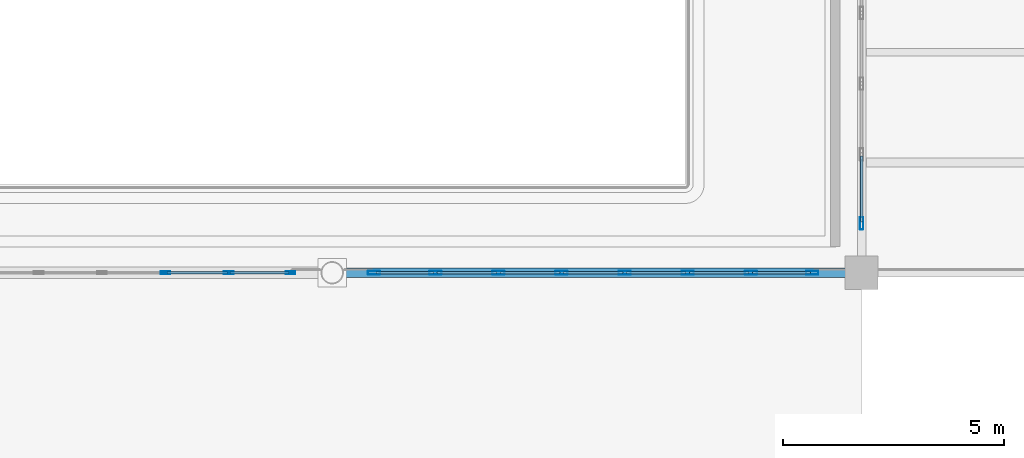
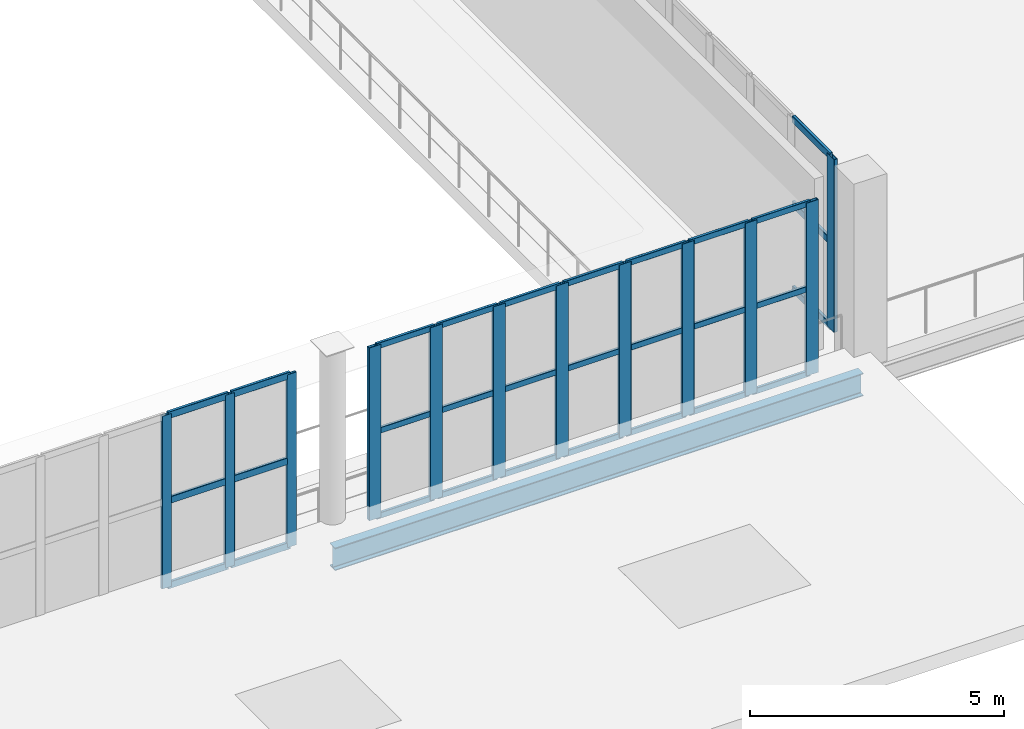
# One storey, part 13 of 108: 42 members, 1 beam, 3 elements without a shape of their own.
"""IFC4 building model written with IfcOpenShell, lengths in metres."""

from ifc_helpers import new_model, si_unit, direction, frame, origin, origin_2d, place, context, subcontext, project, spatial, hollow_rectangle, i_section, extrude, material, layer, layer_set, material_profile, profile_set, type_object, element, aggregate, save


model = new_model("IFC4")

# Units and contexts
model_context = context("Model", 3, precision=1e-05, world=origin(), true_north=direction((0.0, 1.0)))
body_context = subcontext(model_context, "Body", "Model", "MODEL_VIEW")
ifc_project = project(units=[si_unit("LENGTHUNIT", "METRE"), si_unit("AREAUNIT", "SQUARE_METRE"), si_unit("VOLUMEUNIT", "CUBIC_METRE"), si_unit("PLANEANGLEUNIT", "RADIAN"), si_unit("MASSUNIT", "GRAM", prefix="KILO")], contexts=[model_context])

# Site, building, storey
site_placement = place(None, origin())
site = spatial("IfcSite", under=ifc_project, at=site_placement, CompositionType="ELEMENT")
building_placement = place(site_placement, origin())
building = spatial("IfcBuilding", under=site, at=building_placement, Name="Brinegate Civic Arena", CompositionType="ELEMENT")
storey_placement = place(building_placement, frame((0.0, 0.0, 10.199951171875)))
storey = spatial("IfcBuildingStorey", under=building, at=storey_placement, Name="L02", CompositionType="ELEMENT", Elevation=10.199951171875)

# Curtain wall, members
ifc_material_1 = material(Name="Marine grade aluminium", Category="aluminium")
ifc_layer_1 = layer(ifc_material_1, 0.18505859375, Name="Marine grade aluminium")
ifc_layer_set_1 = layer_set([ifc_layer_1], Name="Marine grade aluminium")
curtain_wall_type_1 = type_object("IfcCurtainWallType", Name="CW-WING-GLAZED-03", PredefinedType="USERDEFINED", material=ifc_layer_set_1)
curtain_wall_1_placement = place(storey_placement, origin())
curtain_wall_1 = element("IfcCurtainWall", 1, at=curtain_wall_1_placement, inside=storey, type_object=curtain_wall_type_1, Name="Curtain Wall CWA-023", ObjectType="GLAZED CURTAIN WALL", PredefinedType="USERDEFINED")
ifc_material_profile_1 = material_profile(ifc_material_1, hollow_rectangle(XDim=0.06494140625, YDim=0.219970703125, WallThickness=0.006103515625, InnerFilletRadius=0.00390625, OuterFilletRadius=0.008056640625, at=origin_2d()), Name="MUL65X220")
ifc_profile_set_1 = profile_set([ifc_material_profile_1], Name="Marine grade aluminium")
member_type_1 = type_object("IfcMemberType", Name="CW-MULLION-65X220", PredefinedType="MULLION", material=ifc_profile_set_1)
member_1_placement = place(storey_placement, frame((32.220703125, 10.0, 0.0), z_axis=(0.0, 0.0, 1.0), x_axis=(0.0, 1.0, 0.0)))
member_1 = element("IfcMember", 2, at=member_1_placement, type_object=member_type_1, Name="CWA-023 mullion 6", PredefinedType="MULLION", context=body_context, shape_type="SweptSolid", body=[
    extrude(hollow_rectangle(XDim=0.06494140625, YDim=0.219970703125, WallThickness=0.006103515625, InnerFilletRadius=0.00390625, OuterFilletRadius=0.008056640625, at=origin_2d()), origin(), (0.0, 0.0, 1.0), 4.150146484375),
])
member_2_placement = place(storey_placement, frame((33.65576171875, 10.0, 0.0), z_axis=(0.0, 0.0, 1.0), x_axis=(0.0, 1.0, 0.0)))
member_2 = element("IfcMember", 3, at=member_2_placement, type_object=member_type_1, Name="CWA-023 mullion 7", PredefinedType="MULLION", context=body_context, shape_type="SweptSolid", body=[
    extrude(hollow_rectangle(XDim=0.06494140625, YDim=0.219970703125, WallThickness=0.006103515625, InnerFilletRadius=0.00390625, OuterFilletRadius=0.008056640625, at=origin_2d()), origin(), (0.0, 0.0, 1.0), 4.150146484375),
])
member_3_placement = place(storey_placement, frame((35.05859375, 10.0, 0.0), z_axis=(0.0, 0.0, 1.0), x_axis=(0.0, 1.0, 0.0)))
member_3 = element("IfcMember", 4, at=member_3_placement, type_object=member_type_1, Name="CWA-023 mullion 8", PredefinedType="MULLION", context=body_context, shape_type="SweptSolid", body=[
    extrude(hollow_rectangle(XDim=0.06494140625, YDim=0.219970703125, WallThickness=0.006103515625, InnerFilletRadius=0.00390625, OuterFilletRadius=0.008056640625, at=origin_2d()), origin(), (0.0, 0.0, 1.0), 4.150146484375),
])

curtain_wall_2_placement = place(storey_placement, origin())
curtain_wall_2 = element("IfcCurtainWall", 5, at=curtain_wall_2_placement, inside=storey, type_object=curtain_wall_type_1, Name="Curtain Wall CWA-025", ObjectType="GLAZED CURTAIN WALL", PredefinedType="USERDEFINED")
ifc_material_profile_2 = material_profile(ifc_material_1, hollow_rectangle(XDim=0.080078125, YDim=0.280029296875, WallThickness=0.007080078125, InnerFilletRadius=0.0048828125, OuterFilletRadius=0.010009765625, at=origin_2d()), Name="MUL80X280")
ifc_profile_set_2 = profile_set([ifc_material_profile_2], Name="Marine grade aluminium")
member_type_2 = type_object("IfcMemberType", Name="CW-MULLION-80X280", PredefinedType="MULLION", material=ifc_profile_set_2)
member_4_placement = place(storey_placement, frame((36.948974609375, 10.0, 0.0), z_axis=(0.0, 0.0, 1.0), x_axis=(0.0, 1.0, 0.0)))
member_4 = element("IfcMember", 6, at=member_4_placement, type_object=member_type_2, Name="CWA-025 mullion 1", PredefinedType="MULLION", context=body_context, shape_type="SweptSolid", body=[
    extrude(hollow_rectangle(XDim=0.080078125, YDim=0.280029296875, WallThickness=0.007080078125, InnerFilletRadius=0.0048828125, OuterFilletRadius=0.010009765625, at=origin_2d()), origin(), (0.0, 0.0, 1.0), 4.150146484375),
])
member_5_placement = place(storey_placement, frame((38.339111328125, 10.0, 0.0), z_axis=(0.0, 0.0, 1.0), x_axis=(0.0, 1.0, 0.0)))
member_5 = element("IfcMember", 7, at=member_5_placement, type_object=member_type_2, Name="CWA-025 mullion 2", PredefinedType="MULLION", context=body_context, shape_type="SweptSolid", body=[
    extrude(hollow_rectangle(XDim=0.080078125, YDim=0.280029296875, WallThickness=0.007080078125, InnerFilletRadius=0.0048828125, OuterFilletRadius=0.010009765625, at=origin_2d()), origin(), (0.0, 0.0, 1.0), 4.150146484375),
])
member_6_placement = place(storey_placement, frame((39.769287109375, 10.0, 0.0), z_axis=(0.0, 0.0, 1.0), x_axis=(0.0, 1.0, 0.0)))
member_6 = element("IfcMember", 8, at=member_6_placement, type_object=member_type_2, Name="CWA-025 mullion 3", PredefinedType="MULLION", context=body_context, shape_type="SweptSolid", body=[
    extrude(hollow_rectangle(XDim=0.080078125, YDim=0.280029296875, WallThickness=0.007080078125, InnerFilletRadius=0.0048828125, OuterFilletRadius=0.010009765625, at=origin_2d()), origin(), (0.0, 0.0, 1.0), 4.150146484375),
])
member_7_placement = place(storey_placement, frame((41.199462890625, 10.0, 0.0), z_axis=(0.0, 0.0, 1.0), x_axis=(0.0, 1.0, 0.0)))
member_7 = element("IfcMember", 9, at=member_7_placement, type_object=member_type_2, Name="CWA-025 mullion 4", PredefinedType="MULLION", context=body_context, shape_type="SweptSolid", body=[
    extrude(hollow_rectangle(XDim=0.080078125, YDim=0.280029296875, WallThickness=0.007080078125, InnerFilletRadius=0.0048828125, OuterFilletRadius=0.010009765625, at=origin_2d()), origin(), (0.0, 0.0, 1.0), 4.150146484375),
])
member_8_placement = place(storey_placement, frame((42.629638671875, 10.0, 0.0), z_axis=(0.0, 0.0, 1.0), x_axis=(0.0, 1.0, 0.0)))
member_8 = element("IfcMember", 10, at=member_8_placement, type_object=member_type_2, Name="CWA-025 mullion 5", PredefinedType="MULLION", context=body_context, shape_type="SweptSolid", body=[
    extrude(hollow_rectangle(XDim=0.080078125, YDim=0.280029296875, WallThickness=0.007080078125, InnerFilletRadius=0.0048828125, OuterFilletRadius=0.010009765625, at=origin_2d()), origin(), (0.0, 0.0, 1.0), 4.150146484375),
])
member_9_placement = place(storey_placement, frame((44.059814453125, 10.0, 0.0), z_axis=(0.0, 0.0, 1.0), x_axis=(0.0, 1.0, 0.0)))
member_9 = element("IfcMember", 11, at=member_9_placement, type_object=member_type_2, Name="CWA-025 mullion 6", PredefinedType="MULLION", context=body_context, shape_type="SweptSolid", body=[
    extrude(hollow_rectangle(XDim=0.080078125, YDim=0.280029296875, WallThickness=0.007080078125, InnerFilletRadius=0.0048828125, OuterFilletRadius=0.010009765625, at=origin_2d()), origin(), (0.0, 0.0, 1.0), 4.150146484375),
])
member_10_placement = place(storey_placement, frame((45.48974609375, 10.0, 0.0), z_axis=(0.0, 0.0, 1.0), x_axis=(0.0, 1.0, 0.0)))
member_10 = element("IfcMember", 12, at=member_10_placement, type_object=member_type_2, Name="CWA-025 mullion 7", PredefinedType="MULLION", context=body_context, shape_type="SweptSolid", body=[
    extrude(hollow_rectangle(XDim=0.080078125, YDim=0.280029296875, WallThickness=0.007080078125, InnerFilletRadius=0.0048828125, OuterFilletRadius=0.010009765625, at=origin_2d()), origin(), (0.0, 0.0, 1.0), 4.150146484375),
])
member_11_placement = place(storey_placement, frame((46.8798828125, 10.0, 0.0), z_axis=(0.0, 0.0, 1.0), x_axis=(0.0, 1.0, 0.0)))
member_11 = element("IfcMember", 13, at=member_11_placement, type_object=member_type_2, Name="CWA-025 mullion 8", PredefinedType="MULLION", context=body_context, shape_type="SweptSolid", body=[
    extrude(hollow_rectangle(XDim=0.080078125, YDim=0.280029296875, WallThickness=0.007080078125, InnerFilletRadius=0.0048828125, OuterFilletRadius=0.010009765625, at=origin_2d()), origin(), (0.0, 0.0, 1.0), 4.150146484375),
])

# Curtain wall, member
ifc_layer_2 = layer(ifc_material_1, 0.199951171875, Name="Marine grade aluminium")
ifc_layer_set_2 = layer_set([ifc_layer_2], Name="Marine grade aluminium")
curtain_wall_type_2 = type_object("IfcCurtainWallType", Name="CW-BOWL-GLAZED-01", PredefinedType="USERDEFINED", material=ifc_layer_set_2)
curtain_wall_3_placement = place(storey_placement, origin())
curtain_wall_3 = element("IfcCurtainWall", 14, at=curtain_wall_3_placement, inside=storey, type_object=curtain_wall_type_2, Name="Curtain Wall CWA-075", ObjectType="GLAZED CURTAIN WALL", PredefinedType="USERDEFINED")
member_12_placement = place(storey_placement, frame((48.0, 11.1201171875, 0.0), z_axis=(0.0, 0.0, 1.0), x_axis=(-1.0, 0.0, 0.0)))
member_12 = element("IfcMember", 15, at=member_12_placement, type_object=member_type_2, Name="CWA-075 mullion 1", PredefinedType="MULLION", context=body_context, shape_type="SweptSolid", body=[
    extrude(hollow_rectangle(XDim=0.080078125, YDim=0.280029296875, WallThickness=0.007080078125, InnerFilletRadius=0.0048828125, OuterFilletRadius=0.010009765625, at=origin_2d()), origin(), (0.0, 0.0, 1.0), 4.150146484375),
])

# Member
ifc_material_profile_3 = material_profile(ifc_material_1, hollow_rectangle(XDim=0.06494140625, YDim=0.139892578125, WallThickness=0.0048828125, InnerFilletRadius=0.00390625, OuterFilletRadius=0.008056640625, at=origin_2d()), Name="TRN65X140")
ifc_profile_set_3 = profile_set([ifc_material_profile_3], Name="Marine grade aluminium")
member_type_3 = type_object("IfcMemberType", Name="CW-TRANSOM-65X140", PredefinedType="USERDEFINED", material=ifc_profile_set_3)
member_13_placement = place(storey_placement, frame((36.989013671875, 10.0, 0.032470703125), z_axis=(1.0, 0.0, 0.0), x_axis=(0.0, 1.0, 0.0)))
member_13 = element("IfcMember", 16, at=member_13_placement, type_object=member_type_3, Name="CWA-025 transom 1.1", ObjectType="TRANSOM", PredefinedType="USERDEFINED", context=body_context, shape_type="SweptSolid", body=[
    extrude(hollow_rectangle(XDim=0.06494140625, YDim=0.139892578125, WallThickness=0.0048828125, InnerFilletRadius=0.00390625, OuterFilletRadius=0.008056640625, at=origin_2d()), origin(), (0.0, 0.0, 1.0), 1.31005859375),
])

member_14_placement = place(storey_placement, frame((36.989013671875, 10.0, 2.074951171875), z_axis=(1.0, 0.0, 0.0), x_axis=(0.0, 1.0, 0.0)))
member_14 = element("IfcMember", 17, at=member_14_placement, type_object=member_type_3, Name="CWA-025 transom 1.2", ObjectType="TRANSOM", PredefinedType="USERDEFINED", context=body_context, shape_type="SweptSolid", body=[
    extrude(hollow_rectangle(XDim=0.06494140625, YDim=0.139892578125, WallThickness=0.0048828125, InnerFilletRadius=0.00390625, OuterFilletRadius=0.008056640625, at=origin_2d()), origin(), (0.0, 0.0, 1.0), 1.31005859375),
])

member_15_placement = place(storey_placement, frame((36.989013671875, 10.0, 4.117431640625), z_axis=(1.0, 0.0, 0.0), x_axis=(0.0, 1.0, 0.0)))
member_15 = element("IfcMember", 18, at=member_15_placement, type_object=member_type_3, Name="CWA-025 transom 1.3", ObjectType="TRANSOM", PredefinedType="USERDEFINED", context=body_context, shape_type="SweptSolid", body=[
    extrude(hollow_rectangle(XDim=0.06494140625, YDim=0.139892578125, WallThickness=0.0048828125, InnerFilletRadius=0.00390625, OuterFilletRadius=0.008056640625, at=origin_2d()), origin(), (0.0, 0.0, 1.0), 1.31005859375),
])

member_16_placement = place(storey_placement, frame((38.379150390625, 10.0, 0.032470703125), z_axis=(1.0, 0.0, 0.0), x_axis=(0.0, 1.0, 0.0)))
member_16 = element("IfcMember", 19, at=member_16_placement, type_object=member_type_3, Name="CWA-025 transom 2.1", ObjectType="TRANSOM", PredefinedType="USERDEFINED", context=body_context, shape_type="SweptSolid", body=[
    extrude(hollow_rectangle(XDim=0.06494140625, YDim=0.139892578125, WallThickness=0.0048828125, InnerFilletRadius=0.00390625, OuterFilletRadius=0.008056640625, at=origin_2d()), origin(), (0.0, 0.0, 1.0), 1.35009765625),
])

member_17_placement = place(storey_placement, frame((38.379150390625, 10.0, 2.074951171875), z_axis=(1.0, 0.0, 0.0), x_axis=(0.0, 1.0, 0.0)))
member_17 = element("IfcMember", 20, at=member_17_placement, type_object=member_type_3, Name="CWA-025 transom 2.2", ObjectType="TRANSOM", PredefinedType="USERDEFINED", context=body_context, shape_type="SweptSolid", body=[
    extrude(hollow_rectangle(XDim=0.06494140625, YDim=0.139892578125, WallThickness=0.0048828125, InnerFilletRadius=0.00390625, OuterFilletRadius=0.008056640625, at=origin_2d()), origin(), (0.0, 0.0, 1.0), 1.35009765625),
])

member_18_placement = place(storey_placement, frame((38.379150390625, 10.0, 4.117431640625), z_axis=(1.0, 0.0, 0.0), x_axis=(0.0, 1.0, 0.0)))
member_18 = element("IfcMember", 21, at=member_18_placement, type_object=member_type_3, Name="CWA-025 transom 2.3", ObjectType="TRANSOM", PredefinedType="USERDEFINED", context=body_context, shape_type="SweptSolid", body=[
    extrude(hollow_rectangle(XDim=0.06494140625, YDim=0.139892578125, WallThickness=0.0048828125, InnerFilletRadius=0.00390625, OuterFilletRadius=0.008056640625, at=origin_2d()), origin(), (0.0, 0.0, 1.0), 1.35009765625),
])

member_19_placement = place(storey_placement, frame((39.809326171875, 10.0, 0.032470703125), z_axis=(1.0, 0.0, 0.0), x_axis=(0.0, 1.0, 0.0)))
member_19 = element("IfcMember", 22, at=member_19_placement, type_object=member_type_3, Name="CWA-025 transom 3.1", ObjectType="TRANSOM", PredefinedType="USERDEFINED", context=body_context, shape_type="SweptSolid", body=[
    extrude(hollow_rectangle(XDim=0.06494140625, YDim=0.139892578125, WallThickness=0.0048828125, InnerFilletRadius=0.00390625, OuterFilletRadius=0.008056640625, at=origin_2d()), origin(), (0.0, 0.0, 1.0), 1.35009765625),
])

member_20_placement = place(storey_placement, frame((39.809326171875, 10.0, 2.074951171875), z_axis=(1.0, 0.0, 0.0), x_axis=(0.0, 1.0, 0.0)))
member_20 = element("IfcMember", 23, at=member_20_placement, type_object=member_type_3, Name="CWA-025 transom 3.2", ObjectType="TRANSOM", PredefinedType="USERDEFINED", context=body_context, shape_type="SweptSolid", body=[
    extrude(hollow_rectangle(XDim=0.06494140625, YDim=0.139892578125, WallThickness=0.0048828125, InnerFilletRadius=0.00390625, OuterFilletRadius=0.008056640625, at=origin_2d()), origin(), (0.0, 0.0, 1.0), 1.35009765625),
])

member_21_placement = place(storey_placement, frame((39.809326171875, 10.0, 4.117431640625), z_axis=(1.0, 0.0, 0.0), x_axis=(0.0, 1.0, 0.0)))
member_21 = element("IfcMember", 24, at=member_21_placement, type_object=member_type_3, Name="CWA-025 transom 3.3", ObjectType="TRANSOM", PredefinedType="USERDEFINED", context=body_context, shape_type="SweptSolid", body=[
    extrude(hollow_rectangle(XDim=0.06494140625, YDim=0.139892578125, WallThickness=0.0048828125, InnerFilletRadius=0.00390625, OuterFilletRadius=0.008056640625, at=origin_2d()), origin(), (0.0, 0.0, 1.0), 1.35009765625),
])

member_22_placement = place(storey_placement, frame((41.239501953125, 10.0, 0.032470703125), z_axis=(1.0, 0.0, 0.0), x_axis=(0.0, 1.0, 0.0)))
member_22 = element("IfcMember", 25, at=member_22_placement, type_object=member_type_3, Name="CWA-025 transom 4.1", ObjectType="TRANSOM", PredefinedType="USERDEFINED", context=body_context, shape_type="SweptSolid", body=[
    extrude(hollow_rectangle(XDim=0.06494140625, YDim=0.139892578125, WallThickness=0.0048828125, InnerFilletRadius=0.00390625, OuterFilletRadius=0.008056640625, at=origin_2d()), origin(), (0.0, 0.0, 1.0), 1.35009765625),
])

member_23_placement = place(storey_placement, frame((41.239501953125, 10.0, 2.074951171875), z_axis=(1.0, 0.0, 0.0), x_axis=(0.0, 1.0, 0.0)))
member_23 = element("IfcMember", 26, at=member_23_placement, type_object=member_type_3, Name="CWA-025 transom 4.2", ObjectType="TRANSOM", PredefinedType="USERDEFINED", context=body_context, shape_type="SweptSolid", body=[
    extrude(hollow_rectangle(XDim=0.06494140625, YDim=0.139892578125, WallThickness=0.0048828125, InnerFilletRadius=0.00390625, OuterFilletRadius=0.008056640625, at=origin_2d()), origin(), (0.0, 0.0, 1.0), 1.35009765625),
])

member_24_placement = place(storey_placement, frame((41.239501953125, 10.0, 4.117431640625), z_axis=(1.0, 0.0, 0.0), x_axis=(0.0, 1.0, 0.0)))
member_24 = element("IfcMember", 27, at=member_24_placement, type_object=member_type_3, Name="CWA-025 transom 4.3", ObjectType="TRANSOM", PredefinedType="USERDEFINED", context=body_context, shape_type="SweptSolid", body=[
    extrude(hollow_rectangle(XDim=0.06494140625, YDim=0.139892578125, WallThickness=0.0048828125, InnerFilletRadius=0.00390625, OuterFilletRadius=0.008056640625, at=origin_2d()), origin(), (0.0, 0.0, 1.0), 1.35009765625),
])

member_25_placement = place(storey_placement, frame((42.669677734375, 10.0, 0.032470703125), z_axis=(1.0, 0.0, 0.0), x_axis=(0.0, 1.0, 0.0)))
member_25 = element("IfcMember", 28, at=member_25_placement, type_object=member_type_3, Name="CWA-025 transom 5.1", ObjectType="TRANSOM", PredefinedType="USERDEFINED", context=body_context, shape_type="SweptSolid", body=[
    extrude(hollow_rectangle(XDim=0.06494140625, YDim=0.139892578125, WallThickness=0.0048828125, InnerFilletRadius=0.00390625, OuterFilletRadius=0.008056640625, at=origin_2d()), origin(), (0.0, 0.0, 1.0), 1.35009765625),
])

member_26_placement = place(storey_placement, frame((42.669677734375, 10.0, 2.074951171875), z_axis=(1.0, 0.0, 0.0), x_axis=(0.0, 1.0, 0.0)))
member_26 = element("IfcMember", 29, at=member_26_placement, type_object=member_type_3, Name="CWA-025 transom 5.2", ObjectType="TRANSOM", PredefinedType="USERDEFINED", context=body_context, shape_type="SweptSolid", body=[
    extrude(hollow_rectangle(XDim=0.06494140625, YDim=0.139892578125, WallThickness=0.0048828125, InnerFilletRadius=0.00390625, OuterFilletRadius=0.008056640625, at=origin_2d()), origin(), (0.0, 0.0, 1.0), 1.35009765625),
])

member_27_placement = place(storey_placement, frame((42.669677734375, 10.0, 4.117431640625), z_axis=(1.0, 0.0, 0.0), x_axis=(0.0, 1.0, 0.0)))
member_27 = element("IfcMember", 30, at=member_27_placement, type_object=member_type_3, Name="CWA-025 transom 5.3", ObjectType="TRANSOM", PredefinedType="USERDEFINED", context=body_context, shape_type="SweptSolid", body=[
    extrude(hollow_rectangle(XDim=0.06494140625, YDim=0.139892578125, WallThickness=0.0048828125, InnerFilletRadius=0.00390625, OuterFilletRadius=0.008056640625, at=origin_2d()), origin(), (0.0, 0.0, 1.0), 1.35009765625),
])

member_28_placement = place(storey_placement, frame((44.099609375, 10.0, 0.032470703125), z_axis=(1.0, 0.0, 0.0), x_axis=(0.0, 1.0, 0.0)))
member_28 = element("IfcMember", 31, at=member_28_placement, type_object=member_type_3, Name="CWA-025 transom 6.1", ObjectType="TRANSOM", PredefinedType="USERDEFINED", context=body_context, shape_type="SweptSolid", body=[
    extrude(hollow_rectangle(XDim=0.06494140625, YDim=0.139892578125, WallThickness=0.0048828125, InnerFilletRadius=0.00390625, OuterFilletRadius=0.008056640625, at=origin_2d()), origin(), (0.0, 0.0, 1.0), 1.350341796875),
])

member_29_placement = place(storey_placement, frame((44.099609375, 10.0, 2.074951171875), z_axis=(1.0, 0.0, 0.0), x_axis=(0.0, 1.0, 0.0)))
member_29 = element("IfcMember", 32, at=member_29_placement, type_object=member_type_3, Name="CWA-025 transom 6.2", ObjectType="TRANSOM", PredefinedType="USERDEFINED", context=body_context, shape_type="SweptSolid", body=[
    extrude(hollow_rectangle(XDim=0.06494140625, YDim=0.139892578125, WallThickness=0.0048828125, InnerFilletRadius=0.00390625, OuterFilletRadius=0.008056640625, at=origin_2d()), origin(), (0.0, 0.0, 1.0), 1.350341796875),
])

member_30_placement = place(storey_placement, frame((44.099609375, 10.0, 4.117431640625), z_axis=(1.0, 0.0, 0.0), x_axis=(0.0, 1.0, 0.0)))
member_30 = element("IfcMember", 33, at=member_30_placement, type_object=member_type_3, Name="CWA-025 transom 6.3", ObjectType="TRANSOM", PredefinedType="USERDEFINED", context=body_context, shape_type="SweptSolid", body=[
    extrude(hollow_rectangle(XDim=0.06494140625, YDim=0.139892578125, WallThickness=0.0048828125, InnerFilletRadius=0.00390625, OuterFilletRadius=0.008056640625, at=origin_2d()), origin(), (0.0, 0.0, 1.0), 1.350341796875),
])

member_31_placement = place(storey_placement, frame((45.52978515625, 10.0, 0.032470703125), z_axis=(1.0, 0.0, 0.0), x_axis=(0.0, 1.0, 0.0)))
member_31 = element("IfcMember", 34, at=member_31_placement, type_object=member_type_3, Name="CWA-025 transom 7.1", ObjectType="TRANSOM", PredefinedType="USERDEFINED", context=body_context, shape_type="SweptSolid", body=[
    extrude(hollow_rectangle(XDim=0.06494140625, YDim=0.139892578125, WallThickness=0.0048828125, InnerFilletRadius=0.00390625, OuterFilletRadius=0.008056640625, at=origin_2d()), origin(), (0.0, 0.0, 1.0), 1.310302734375),
])

member_32_placement = place(storey_placement, frame((45.52978515625, 10.0, 2.074951171875), z_axis=(1.0, 0.0, 0.0), x_axis=(0.0, 1.0, 0.0)))
member_32 = element("IfcMember", 35, at=member_32_placement, type_object=member_type_3, Name="CWA-025 transom 7.2", ObjectType="TRANSOM", PredefinedType="USERDEFINED", context=body_context, shape_type="SweptSolid", body=[
    extrude(hollow_rectangle(XDim=0.06494140625, YDim=0.139892578125, WallThickness=0.0048828125, InnerFilletRadius=0.00390625, OuterFilletRadius=0.008056640625, at=origin_2d()), origin(), (0.0, 0.0, 1.0), 1.310302734375),
])

member_33_placement = place(storey_placement, frame((45.52978515625, 10.0, 4.117431640625), z_axis=(1.0, 0.0, 0.0), x_axis=(0.0, 1.0, 0.0)))
member_33 = element("IfcMember", 36, at=member_33_placement, type_object=member_type_3, Name="CWA-025 transom 7.3", ObjectType="TRANSOM", PredefinedType="USERDEFINED", context=body_context, shape_type="SweptSolid", body=[
    extrude(hollow_rectangle(XDim=0.06494140625, YDim=0.139892578125, WallThickness=0.0048828125, InnerFilletRadius=0.00390625, OuterFilletRadius=0.008056640625, at=origin_2d()), origin(), (0.0, 0.0, 1.0), 1.310302734375),
])

aggregate(curtain_wall_2, [member_4, member_5, member_6, member_7, member_8, member_9, member_10, member_11, member_13, member_14, member_15, member_16, member_17, member_18, member_19, member_20, member_21, member_22, member_23, member_24, member_25, member_26, member_27, member_28, member_29, member_30, member_31, member_32, member_33])

ifc_material_profile_4 = material_profile(ifc_material_1, hollow_rectangle(XDim=0.06494140625, YDim=0.1650390625, WallThickness=0.0048828125, InnerFilletRadius=0.00390625, OuterFilletRadius=0.008056640625, at=origin_2d()), Name="TRN65X165")
ifc_profile_set_4 = profile_set([ifc_material_profile_4], Name="Marine grade aluminium")
member_type_4 = type_object("IfcMemberType", Name="CW-TRANSOM-65X165", PredefinedType="USERDEFINED", material=ifc_profile_set_4)
member_34_placement = place(storey_placement, frame((32.253173828125, 10.0, 0.032470703125), z_axis=(1.0, 0.0, 0.0), x_axis=(0.0, 1.0, 0.0)))
member_34 = element("IfcMember", 37, at=member_34_placement, type_object=member_type_4, Name="CWA-023 transom 6.1", ObjectType="TRANSOM", PredefinedType="USERDEFINED", context=body_context, shape_type="SweptSolid", body=[
    extrude(hollow_rectangle(XDim=0.06494140625, YDim=0.1650390625, WallThickness=0.0048828125, InnerFilletRadius=0.00390625, OuterFilletRadius=0.008056640625, at=origin_2d()), origin(), (0.0, 0.0, 1.0), 1.3701171875),
])

member_35_placement = place(storey_placement, frame((32.253173828125, 10.0, 2.074951171875), z_axis=(1.0, 0.0, 0.0), x_axis=(0.0, 1.0, 0.0)))
member_35 = element("IfcMember", 38, at=member_35_placement, type_object=member_type_4, Name="CWA-023 transom 6.2", ObjectType="TRANSOM", PredefinedType="USERDEFINED", context=body_context, shape_type="SweptSolid", body=[
    extrude(hollow_rectangle(XDim=0.06494140625, YDim=0.1650390625, WallThickness=0.0048828125, InnerFilletRadius=0.00390625, OuterFilletRadius=0.008056640625, at=origin_2d()), origin(), (0.0, 0.0, 1.0), 1.3701171875),
])

member_36_placement = place(storey_placement, frame((32.253173828125, 10.0, 4.117431640625), z_axis=(1.0, 0.0, 0.0), x_axis=(0.0, 1.0, 0.0)))
member_36 = element("IfcMember", 39, at=member_36_placement, type_object=member_type_4, Name="CWA-023 transom 6.3", ObjectType="TRANSOM", PredefinedType="USERDEFINED", context=body_context, shape_type="SweptSolid", body=[
    extrude(hollow_rectangle(XDim=0.06494140625, YDim=0.1650390625, WallThickness=0.0048828125, InnerFilletRadius=0.00390625, OuterFilletRadius=0.008056640625, at=origin_2d()), origin(), (0.0, 0.0, 1.0), 1.3701171875),
])

member_37_placement = place(storey_placement, frame((33.6884765625, 10.0, 0.032470703125), z_axis=(1.0, 0.0, 0.0), x_axis=(0.0, 1.0, 0.0)))
member_37 = element("IfcMember", 40, at=member_37_placement, type_object=member_type_4, Name="CWA-023 transom 7.1", ObjectType="TRANSOM", PredefinedType="USERDEFINED", context=body_context, shape_type="SweptSolid", body=[
    extrude(hollow_rectangle(XDim=0.06494140625, YDim=0.1650390625, WallThickness=0.0048828125, InnerFilletRadius=0.00390625, OuterFilletRadius=0.008056640625, at=origin_2d()), origin(), (0.0, 0.0, 1.0), 1.33740234375),
])

member_38_placement = place(storey_placement, frame((33.6884765625, 10.0, 2.074951171875), z_axis=(1.0, 0.0, 0.0), x_axis=(0.0, 1.0, 0.0)))
member_38 = element("IfcMember", 41, at=member_38_placement, type_object=member_type_4, Name="CWA-023 transom 7.2", ObjectType="TRANSOM", PredefinedType="USERDEFINED", context=body_context, shape_type="SweptSolid", body=[
    extrude(hollow_rectangle(XDim=0.06494140625, YDim=0.1650390625, WallThickness=0.0048828125, InnerFilletRadius=0.00390625, OuterFilletRadius=0.008056640625, at=origin_2d()), origin(), (0.0, 0.0, 1.0), 1.33740234375),
])

member_39_placement = place(storey_placement, frame((33.6884765625, 10.0, 4.117431640625), z_axis=(1.0, 0.0, 0.0), x_axis=(0.0, 1.0, 0.0)))
member_39 = element("IfcMember", 42, at=member_39_placement, type_object=member_type_4, Name="CWA-023 transom 7.3", ObjectType="TRANSOM", PredefinedType="USERDEFINED", context=body_context, shape_type="SweptSolid", body=[
    extrude(hollow_rectangle(XDim=0.06494140625, YDim=0.1650390625, WallThickness=0.0048828125, InnerFilletRadius=0.00390625, OuterFilletRadius=0.008056640625, at=origin_2d()), origin(), (0.0, 0.0, 1.0), 1.33740234375),
])

aggregate(curtain_wall_1, [member_1, member_2, member_3, member_34, member_35, member_36, member_37, member_38, member_39])

member_40_placement = place(storey_placement, frame((48.0, 11.159912109375, 0.032470703125), z_axis=(0.0, 1.0, 0.0), x_axis=(-1.0, 0.0, 0.0)))
member_40 = element("IfcMember", 43, at=member_40_placement, type_object=member_type_4, Name="CWA-075 transom 1.1", ObjectType="TRANSOM", PredefinedType="USERDEFINED", context=body_context, shape_type="SweptSolid", body=[
    extrude(hollow_rectangle(XDim=0.06494140625, YDim=0.1650390625, WallThickness=0.0048828125, InnerFilletRadius=0.00390625, OuterFilletRadius=0.008056640625, at=origin_2d()), origin(), (0.0, 0.0, 1.0), 1.482177734375),
])

member_41_placement = place(storey_placement, frame((48.0, 11.159912109375, 2.074951171875), z_axis=(0.0, 1.0, 0.0), x_axis=(-1.0, 0.0, 0.0)))
member_41 = element("IfcMember", 44, at=member_41_placement, type_object=member_type_4, Name="CWA-075 transom 1.2", ObjectType="TRANSOM", PredefinedType="USERDEFINED", context=body_context, shape_type="SweptSolid", body=[
    extrude(hollow_rectangle(XDim=0.06494140625, YDim=0.1650390625, WallThickness=0.0048828125, InnerFilletRadius=0.00390625, OuterFilletRadius=0.008056640625, at=origin_2d()), origin(), (0.0, 0.0, 1.0), 1.482177734375),
])

member_42_placement = place(storey_placement, frame((48.0, 11.159912109375, 4.117431640625), z_axis=(0.0, 1.0, 0.0), x_axis=(-1.0, 0.0, 0.0)))
member_42 = element("IfcMember", 45, at=member_42_placement, type_object=member_type_4, Name="CWA-075 transom 1.3", ObjectType="TRANSOM", PredefinedType="USERDEFINED", context=body_context, shape_type="SweptSolid", body=[
    extrude(hollow_rectangle(XDim=0.06494140625, YDim=0.1650390625, WallThickness=0.0048828125, InnerFilletRadius=0.00390625, OuterFilletRadius=0.008056640625, at=origin_2d()), origin(), (0.0, 0.0, 1.0), 1.482177734375),
])

aggregate(curtain_wall_3, [member_12, member_40, member_41, member_42])

# Beam
ifc_material_2 = material(Name="Steel S355", Category="steel")
ifc_material_profile_5 = material_profile(ifc_material_2, i_section(OverallWidth=0.2119140625, OverallDepth=0.5439453125, WebThickness=0.012939453125, FlangeThickness=0.02099609375, FilletRadius=0.01611328125, at=origin_2d()), Name="W530X123")
ifc_profile_set_5 = profile_set([ifc_material_profile_5], Name="Steel S355")
beam_type = type_object("IfcBeamType", Name="SPANDREL-W530X123", PredefinedType="SPANDREL", material=ifc_profile_set_5)
beam_placement = place(storey_placement, frame((36.0, 10.0, -0.60205078125), z_axis=(1.0, 0.0, 0.0), x_axis=(0.0, 1.0, 0.0)))
element("IfcBeam", 46, at=beam_placement, inside=storey, type_object=beam_type, Name="Floor Girder BM-L02-GX-03-01", PredefinedType="SPANDREL", context=body_context, shape_type="SweptSolid", body=[
    extrude(i_section(OverallWidth=0.2119140625, OverallDepth=0.5439453125, WebThickness=0.012939453125, FlangeThickness=0.02099609375, FilletRadius=0.01611328125, at=origin_2d()), origin(), (0.0, 0.0, 1.0), 12.0),
])

save(model, "model.ifc")
